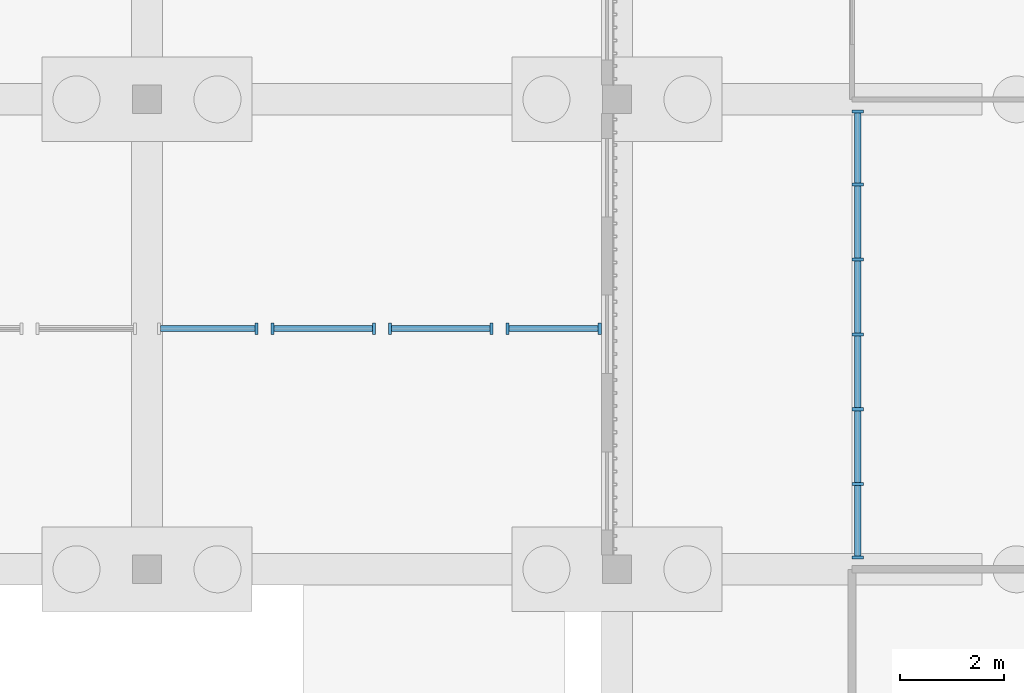
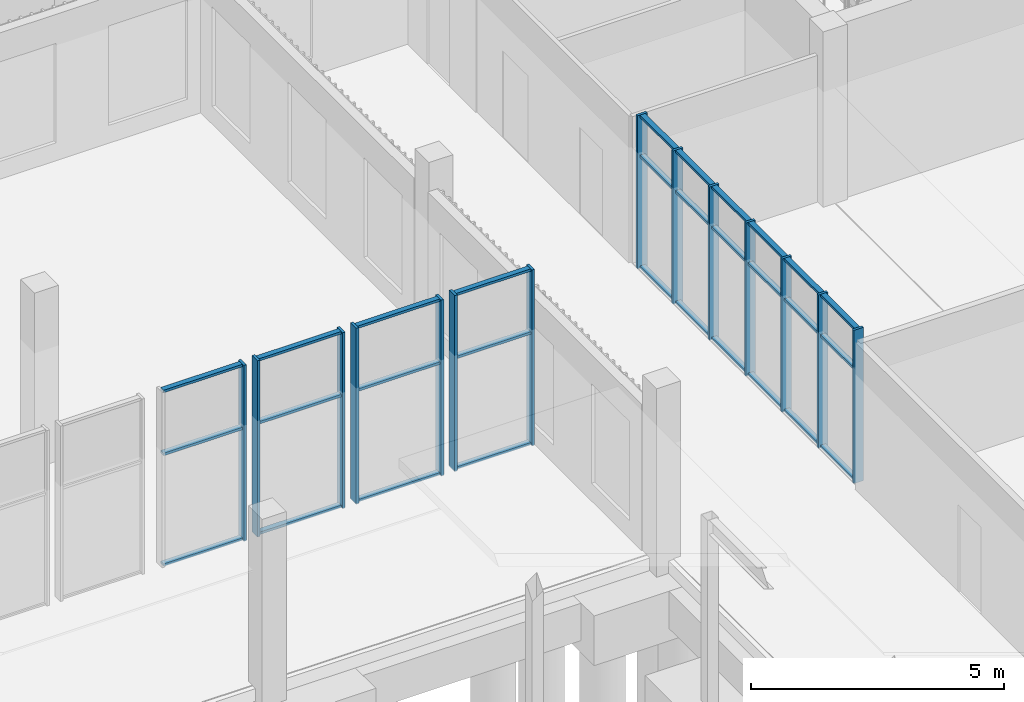
# One storey, part 45 of 106: 44 members, 5 elements without a shape of their own.
"""IFC4 building model written with IfcOpenShell, lengths in metres."""

from ifc_helpers import new_model, si_unit, direction, frame, origin, origin_2d, place, context, subcontext, project, spatial, rectangle, extrude, material, material_profile, profile_set, type_object, element, aggregate, save


model = new_model("IFC4")

# Units and contexts
model_context = context("Model", 3, precision=1e-05, world=origin(), true_north=direction((0.0, 1.0)))
body_context = subcontext(model_context, "Body", "Model", "MODEL_VIEW")
ifc_project = project(units=[si_unit("LENGTHUNIT", "METRE"), si_unit("AREAUNIT", "SQUARE_METRE"), si_unit("VOLUMEUNIT", "CUBIC_METRE"), si_unit("PLANEANGLEUNIT", "RADIAN"), si_unit("MASSUNIT", "GRAM", prefix="KILO")], contexts=[model_context])

# Site, building, storey
site_placement = place(None, origin())
site = spatial("IfcSite", under=ifc_project, at=site_placement, CompositionType="ELEMENT")
building_placement = place(site_placement, origin())
building = spatial("IfcBuilding", under=site, at=building_placement, Name="Merrow Basin Faculty of Sciences", CompositionType="ELEMENT")
storey_placement = place(building_placement, origin())
storey = spatial("IfcBuildingStorey", under=building, at=storey_placement, Name="L00", CompositionType="ELEMENT", Elevation=0.0)

# Curtain wall, members
ifc_material_1 = material(Name="Aluminium alloy 6063", Category="aluminium")
curtain_wall_type = type_object("IfcCurtainWallType", Name="Arcade curtain wall 220", PredefinedType="NOTDEFINED", material=ifc_material_1)
curtain_wall_1_placement = place(storey_placement, origin())
curtain_wall_1 = element("IfcCurtainWall", 1, at=curtain_wall_1_placement, inside=storey, type_object=curtain_wall_type, Name="Arcade curtain wall L00 5", PredefinedType="NOTDEFINED")
ifc_material_2 = material(Name="Aluminium alloy 6063", Category="aluminium")
ifc_material_profile_1 = material_profile(ifc_material_2, rectangle(XDim=0.219970703125, YDim=0.06005859375, at=origin_2d()))
ifc_profile_set_1 = profile_set([ifc_material_profile_1], Name="Aluminium alloy 6063")
member_type_1 = type_object("IfcMemberType", Name="Aluminium mullion 60x220", PredefinedType="MULLION", material=ifc_profile_set_1)
member_1_placement = place(storey_placement, frame((58.610107421875, 115.22998046875, 0.0), z_axis=(0.0, 0.0, 1.0), x_axis=(-1.0, 0.0, 0.0)))
member_1 = element("IfcMember", 2, at=member_1_placement, type_object=member_type_1, Name="CW9 mullion 1", PredefinedType="MULLION", context=body_context, shape_type="SweptSolid", body=[
    extrude(rectangle(XDim=0.219970703125, YDim=0.06005859375, at=origin_2d()), origin(), (0.0, 0.0, 1.0), 3.699951171875),
])
member_2_placement = place(storey_placement, frame((58.610107421875, 116.63330078125, 0.0), z_axis=(0.0, 0.0, 1.0), x_axis=(-1.0, 0.0, 0.0)))
member_2 = element("IfcMember", 3, at=member_2_placement, type_object=member_type_1, Name="CW9 mullion 2", PredefinedType="MULLION", context=body_context, shape_type="SweptSolid", body=[
    extrude(rectangle(XDim=0.219970703125, YDim=0.06005859375, at=origin_2d()), origin(), (0.0, 0.0, 1.0), 3.699951171875),
])
member_3_placement = place(storey_placement, frame((58.610107421875, 118.066650390625, 0.0), z_axis=(0.0, 0.0, 1.0), x_axis=(-1.0, 0.0, 0.0)))
member_3 = element("IfcMember", 4, at=member_3_placement, type_object=member_type_1, Name="CW9 mullion 3", PredefinedType="MULLION", context=body_context, shape_type="SweptSolid", body=[
    extrude(rectangle(XDim=0.219970703125, YDim=0.06005859375, at=origin_2d()), origin(), (0.0, 0.0, 1.0), 3.699951171875),
])
member_4_placement = place(storey_placement, frame((58.610107421875, 119.5, 0.0), z_axis=(0.0, 0.0, 1.0), x_axis=(-1.0, 0.0, 0.0)))
member_4 = element("IfcMember", 5, at=member_4_placement, type_object=member_type_1, Name="CW9 mullion 4", PredefinedType="MULLION", context=body_context, shape_type="SweptSolid", body=[
    extrude(rectangle(XDim=0.219970703125, YDim=0.06005859375, at=origin_2d()), origin(), (0.0, 0.0, 1.0), 3.699951171875),
])
member_5_placement = place(storey_placement, frame((58.610107421875, 120.933349609375, 0.0), z_axis=(0.0, 0.0, 1.0), x_axis=(-1.0, 0.0, 0.0)))
member_5 = element("IfcMember", 6, at=member_5_placement, type_object=member_type_1, Name="CW9 mullion 5", PredefinedType="MULLION", context=body_context, shape_type="SweptSolid", body=[
    extrude(rectangle(XDim=0.219970703125, YDim=0.06005859375, at=origin_2d()), origin(), (0.0, 0.0, 1.0), 3.699951171875),
])
member_6_placement = place(storey_placement, frame((58.610107421875, 122.36669921875, 0.0), z_axis=(0.0, 0.0, 1.0), x_axis=(-1.0, 0.0, 0.0)))
member_6 = element("IfcMember", 7, at=member_6_placement, type_object=member_type_1, Name="CW9 mullion 6", PredefinedType="MULLION", context=body_context, shape_type="SweptSolid", body=[
    extrude(rectangle(XDim=0.219970703125, YDim=0.06005859375, at=origin_2d()), origin(), (0.0, 0.0, 1.0), 3.699951171875),
])
member_7_placement = place(storey_placement, frame((58.610107421875, 123.77001953125, 0.0), z_axis=(0.0, 0.0, 1.0), x_axis=(-1.0, 0.0, 0.0)))
member_7 = element("IfcMember", 8, at=member_7_placement, type_object=member_type_1, Name="CW9 mullion 7", PredefinedType="MULLION", context=body_context, shape_type="SweptSolid", body=[
    extrude(rectangle(XDim=0.219970703125, YDim=0.06005859375, at=origin_2d()), origin(), (0.0, 0.0, 1.0), 3.699951171875),
])

# Curtain wall, member
curtain_wall_2_placement = place(storey_placement, origin())
curtain_wall_2 = element("IfcCurtainWall", 9, at=curtain_wall_2_placement, inside=storey, type_object=curtain_wall_type, Name="Arcade curtain wall L00 9", PredefinedType="NOTDEFINED")
member_8_placement = place(storey_placement, frame((47.094970703125, 119.610107421875, 0.0), z_axis=(0.0, 0.0, 1.0), x_axis=(0.0, 1.0, 0.0)))
member_8 = element("IfcMember", 10, at=member_8_placement, type_object=member_type_1, Name="CW9 mullion 2", PredefinedType="MULLION", context=body_context, shape_type="SweptSolid", body=[
    extrude(rectangle(XDim=0.219970703125, YDim=0.06005859375, at=origin_2d()), origin(), (0.0, 0.0, 1.0), 4.25),
])

# Curtain wall, members
curtain_wall_3_placement = place(storey_placement, origin())
curtain_wall_3 = element("IfcCurtainWall", 11, at=curtain_wall_3_placement, inside=storey, type_object=curtain_wall_type, Name="Arcade curtain wall L00 10", PredefinedType="NOTDEFINED")
member_9_placement = place(storey_placement, frame((47.405029296875, 119.610107421875, 0.0), z_axis=(0.0, 0.0, 1.0), x_axis=(0.0, 1.0, 0.0)))
member_9 = element("IfcMember", 12, at=member_9_placement, type_object=member_type_1, Name="CW9 mullion 1", PredefinedType="MULLION", context=body_context, shape_type="SweptSolid", body=[
    extrude(rectangle(XDim=0.219970703125, YDim=0.06005859375, at=origin_2d()), origin(), (0.0, 0.0, 1.0), 4.25),
])
member_10_placement = place(storey_placement, frame((49.344970703125, 119.610107421875, 0.0), z_axis=(0.0, 0.0, 1.0), x_axis=(0.0, 1.0, 0.0)))
member_10 = element("IfcMember", 13, at=member_10_placement, type_object=member_type_1, Name="CW9 mullion 2", PredefinedType="MULLION", context=body_context, shape_type="SweptSolid", body=[
    extrude(rectangle(XDim=0.219970703125, YDim=0.06005859375, at=origin_2d()), origin(), (0.0, 0.0, 1.0), 4.25),
])

curtain_wall_4_placement = place(storey_placement, origin())
curtain_wall_4 = element("IfcCurtainWall", 14, at=curtain_wall_4_placement, inside=storey, type_object=curtain_wall_type, Name="Arcade curtain wall L00 11", PredefinedType="NOTDEFINED")
member_11_placement = place(storey_placement, frame((49.655029296875, 119.610107421875, 0.0), z_axis=(0.0, 0.0, 1.0), x_axis=(0.0, 1.0, 0.0)))
member_11 = element("IfcMember", 15, at=member_11_placement, type_object=member_type_1, Name="CW9 mullion 1", PredefinedType="MULLION", context=body_context, shape_type="SweptSolid", body=[
    extrude(rectangle(XDim=0.219970703125, YDim=0.06005859375, at=origin_2d()), origin(), (0.0, 0.0, 1.0), 4.25),
])
member_12_placement = place(storey_placement, frame((51.594970703125, 119.610107421875, 0.0), z_axis=(0.0, 0.0, 1.0), x_axis=(0.0, 1.0, 0.0)))
member_12 = element("IfcMember", 16, at=member_12_placement, type_object=member_type_1, Name="CW9 mullion 2", PredefinedType="MULLION", context=body_context, shape_type="SweptSolid", body=[
    extrude(rectangle(XDim=0.219970703125, YDim=0.06005859375, at=origin_2d()), origin(), (0.0, 0.0, 1.0), 4.25),
])

curtain_wall_5_placement = place(storey_placement, origin())
curtain_wall_5 = element("IfcCurtainWall", 17, at=curtain_wall_5_placement, inside=storey, type_object=curtain_wall_type, Name="Arcade curtain wall L00 12", PredefinedType="NOTDEFINED")
member_13_placement = place(storey_placement, frame((51.905029296875, 119.610107421875, 0.0), z_axis=(0.0, 0.0, 1.0), x_axis=(0.0, 1.0, 0.0)))
member_13 = element("IfcMember", 18, at=member_13_placement, type_object=member_type_1, Name="CW9 mullion 1", PredefinedType="MULLION", context=body_context, shape_type="SweptSolid", body=[
    extrude(rectangle(XDim=0.219970703125, YDim=0.06005859375, at=origin_2d()), origin(), (0.0, 0.0, 1.0), 4.25),
])
member_14_placement = place(storey_placement, frame((53.669921875, 119.610107421875, 0.0), z_axis=(0.0, 0.0, 1.0), x_axis=(0.0, 1.0, 0.0)))
member_14 = element("IfcMember", 19, at=member_14_placement, type_object=member_type_1, Name="CW9 mullion 2", PredefinedType="MULLION", context=body_context, shape_type="SweptSolid", body=[
    extrude(rectangle(XDim=0.219970703125, YDim=0.06005859375, at=origin_2d()), origin(), (0.0, 0.0, 1.0), 4.25),
])

# Member
ifc_material_3 = material(Name="Aluminium alloy 6063", Category="aluminium")
ifc_material_profile_2 = material_profile(ifc_material_3, rectangle(XDim=0.1201171875, YDim=0.06005859375, at=origin_2d()))
ifc_profile_set_2 = profile_set([ifc_material_profile_2], Name="Aluminium alloy 6063")
member_type_2 = type_object("IfcMemberType", Name="Aluminium transom 60x120", PredefinedType="USERDEFINED", material=ifc_profile_set_2)
member_15_placement = place(storey_placement, frame((58.610107421875, 115.260009765625, 0.030029296875), z_axis=(0.0, 1.0, 0.0), x_axis=(-1.0, 0.0, 0.0)))
member_15 = element("IfcMember", 20, at=member_15_placement, type_object=member_type_2, Name="CW9 transom 1.1", ObjectType="TRANSOM", PredefinedType="USERDEFINED", context=body_context, shape_type="SweptSolid", body=[
    extrude(rectangle(XDim=0.1201171875, YDim=0.06005859375, at=origin_2d()), origin(), (0.0, 0.0, 1.0), 1.34326171875),
])

member_16_placement = place(storey_placement, frame((58.610107421875, 115.260009765625, 2.699951171875), z_axis=(0.0, 1.0, 0.0), x_axis=(-1.0, 0.0, 0.0)))
member_16 = element("IfcMember", 21, at=member_16_placement, type_object=member_type_2, Name="CW9 transom 1.2", ObjectType="TRANSOM", PredefinedType="USERDEFINED", context=body_context, shape_type="SweptSolid", body=[
    extrude(rectangle(XDim=0.1201171875, YDim=0.06005859375, at=origin_2d()), origin(), (0.0, 0.0, 1.0), 1.34326171875),
])

member_17_placement = place(storey_placement, frame((58.610107421875, 115.260009765625, 3.669921875), z_axis=(0.0, 1.0, 0.0), x_axis=(-1.0, 0.0, 0.0)))
member_17 = element("IfcMember", 22, at=member_17_placement, type_object=member_type_2, Name="CW9 transom 1.3", ObjectType="TRANSOM", PredefinedType="USERDEFINED", context=body_context, shape_type="SweptSolid", body=[
    extrude(rectangle(XDim=0.1201171875, YDim=0.06005859375, at=origin_2d()), origin(), (0.0, 0.0, 1.0), 1.34326171875),
])

member_18_placement = place(storey_placement, frame((58.610107421875, 116.663330078125, 0.030029296875), z_axis=(0.0, 1.0, 0.0), x_axis=(-1.0, 0.0, 0.0)))
member_18 = element("IfcMember", 23, at=member_18_placement, type_object=member_type_2, Name="CW9 transom 2.1", ObjectType="TRANSOM", PredefinedType="USERDEFINED", context=body_context, shape_type="SweptSolid", body=[
    extrude(rectangle(XDim=0.1201171875, YDim=0.06005859375, at=origin_2d()), origin(), (0.0, 0.0, 1.0), 1.373291015625),
])

member_19_placement = place(storey_placement, frame((58.610107421875, 116.663330078125, 2.699951171875), z_axis=(0.0, 1.0, 0.0), x_axis=(-1.0, 0.0, 0.0)))
member_19 = element("IfcMember", 24, at=member_19_placement, type_object=member_type_2, Name="CW9 transom 2.2", ObjectType="TRANSOM", PredefinedType="USERDEFINED", context=body_context, shape_type="SweptSolid", body=[
    extrude(rectangle(XDim=0.1201171875, YDim=0.06005859375, at=origin_2d()), origin(), (0.0, 0.0, 1.0), 1.373291015625),
])

member_20_placement = place(storey_placement, frame((58.610107421875, 116.663330078125, 3.669921875), z_axis=(0.0, 1.0, 0.0), x_axis=(-1.0, 0.0, 0.0)))
member_20 = element("IfcMember", 25, at=member_20_placement, type_object=member_type_2, Name="CW9 transom 2.3", ObjectType="TRANSOM", PredefinedType="USERDEFINED", context=body_context, shape_type="SweptSolid", body=[
    extrude(rectangle(XDim=0.1201171875, YDim=0.06005859375, at=origin_2d()), origin(), (0.0, 0.0, 1.0), 1.373291015625),
])

member_21_placement = place(storey_placement, frame((58.610107421875, 118.0966796875, 0.030029296875), z_axis=(0.0, 1.0, 0.0), x_axis=(-1.0, 0.0, 0.0)))
member_21 = element("IfcMember", 26, at=member_21_placement, type_object=member_type_2, Name="CW9 transom 3.1", ObjectType="TRANSOM", PredefinedType="USERDEFINED", context=body_context, shape_type="SweptSolid", body=[
    extrude(rectangle(XDim=0.1201171875, YDim=0.06005859375, at=origin_2d()), origin(), (0.0, 0.0, 1.0), 1.373291015625),
])

member_22_placement = place(storey_placement, frame((58.610107421875, 118.0966796875, 2.699951171875), z_axis=(0.0, 1.0, 0.0), x_axis=(-1.0, 0.0, 0.0)))
member_22 = element("IfcMember", 27, at=member_22_placement, type_object=member_type_2, Name="CW9 transom 3.2", ObjectType="TRANSOM", PredefinedType="USERDEFINED", context=body_context, shape_type="SweptSolid", body=[
    extrude(rectangle(XDim=0.1201171875, YDim=0.06005859375, at=origin_2d()), origin(), (0.0, 0.0, 1.0), 1.373291015625),
])

member_23_placement = place(storey_placement, frame((58.610107421875, 118.0966796875, 3.669921875), z_axis=(0.0, 1.0, 0.0), x_axis=(-1.0, 0.0, 0.0)))
member_23 = element("IfcMember", 28, at=member_23_placement, type_object=member_type_2, Name="CW9 transom 3.3", ObjectType="TRANSOM", PredefinedType="USERDEFINED", context=body_context, shape_type="SweptSolid", body=[
    extrude(rectangle(XDim=0.1201171875, YDim=0.06005859375, at=origin_2d()), origin(), (0.0, 0.0, 1.0), 1.373291015625),
])

member_24_placement = place(storey_placement, frame((58.610107421875, 119.530029296875, 0.030029296875), z_axis=(0.0, 1.0, 0.0), x_axis=(-1.0, 0.0, 0.0)))
member_24 = element("IfcMember", 29, at=member_24_placement, type_object=member_type_2, Name="CW9 transom 4.1", ObjectType="TRANSOM", PredefinedType="USERDEFINED", context=body_context, shape_type="SweptSolid", body=[
    extrude(rectangle(XDim=0.1201171875, YDim=0.06005859375, at=origin_2d()), origin(), (0.0, 0.0, 1.0), 1.373291015625),
])

member_25_placement = place(storey_placement, frame((58.610107421875, 119.530029296875, 2.699951171875), z_axis=(0.0, 1.0, 0.0), x_axis=(-1.0, 0.0, 0.0)))
member_25 = element("IfcMember", 30, at=member_25_placement, type_object=member_type_2, Name="CW9 transom 4.2", ObjectType="TRANSOM", PredefinedType="USERDEFINED", context=body_context, shape_type="SweptSolid", body=[
    extrude(rectangle(XDim=0.1201171875, YDim=0.06005859375, at=origin_2d()), origin(), (0.0, 0.0, 1.0), 1.373291015625),
])

member_26_placement = place(storey_placement, frame((58.610107421875, 119.530029296875, 3.669921875), z_axis=(0.0, 1.0, 0.0), x_axis=(-1.0, 0.0, 0.0)))
member_26 = element("IfcMember", 31, at=member_26_placement, type_object=member_type_2, Name="CW9 transom 4.3", ObjectType="TRANSOM", PredefinedType="USERDEFINED", context=body_context, shape_type="SweptSolid", body=[
    extrude(rectangle(XDim=0.1201171875, YDim=0.06005859375, at=origin_2d()), origin(), (0.0, 0.0, 1.0), 1.373291015625),
])

member_27_placement = place(storey_placement, frame((58.610107421875, 120.96337890625, 0.030029296875), z_axis=(0.0, 1.0, 0.0), x_axis=(-1.0, 0.0, 0.0)))
member_27 = element("IfcMember", 32, at=member_27_placement, type_object=member_type_2, Name="CW9 transom 5.1", ObjectType="TRANSOM", PredefinedType="USERDEFINED", context=body_context, shape_type="SweptSolid", body=[
    extrude(rectangle(XDim=0.1201171875, YDim=0.06005859375, at=origin_2d()), origin(), (0.0, 0.0, 1.0), 1.373291015625),
])

member_28_placement = place(storey_placement, frame((58.610107421875, 120.96337890625, 2.699951171875), z_axis=(0.0, 1.0, 0.0), x_axis=(-1.0, 0.0, 0.0)))
member_28 = element("IfcMember", 33, at=member_28_placement, type_object=member_type_2, Name="CW9 transom 5.2", ObjectType="TRANSOM", PredefinedType="USERDEFINED", context=body_context, shape_type="SweptSolid", body=[
    extrude(rectangle(XDim=0.1201171875, YDim=0.06005859375, at=origin_2d()), origin(), (0.0, 0.0, 1.0), 1.373291015625),
])

member_29_placement = place(storey_placement, frame((58.610107421875, 120.96337890625, 3.669921875), z_axis=(0.0, 1.0, 0.0), x_axis=(-1.0, 0.0, 0.0)))
member_29 = element("IfcMember", 34, at=member_29_placement, type_object=member_type_2, Name="CW9 transom 5.3", ObjectType="TRANSOM", PredefinedType="USERDEFINED", context=body_context, shape_type="SweptSolid", body=[
    extrude(rectangle(XDim=0.1201171875, YDim=0.06005859375, at=origin_2d()), origin(), (0.0, 0.0, 1.0), 1.373291015625),
])

member_30_placement = place(storey_placement, frame((58.610107421875, 122.396728515625, 0.030029296875), z_axis=(0.0, 1.0, 0.0), x_axis=(-1.0, 0.0, 0.0)))
member_30 = element("IfcMember", 35, at=member_30_placement, type_object=member_type_2, Name="CW9 transom 6.1", ObjectType="TRANSOM", PredefinedType="USERDEFINED", context=body_context, shape_type="SweptSolid", body=[
    extrude(rectangle(XDim=0.1201171875, YDim=0.06005859375, at=origin_2d()), origin(), (0.0, 0.0, 1.0), 1.34326171875),
])

member_31_placement = place(storey_placement, frame((58.610107421875, 122.396728515625, 2.699951171875), z_axis=(0.0, 1.0, 0.0), x_axis=(-1.0, 0.0, 0.0)))
member_31 = element("IfcMember", 36, at=member_31_placement, type_object=member_type_2, Name="CW9 transom 6.2", ObjectType="TRANSOM", PredefinedType="USERDEFINED", context=body_context, shape_type="SweptSolid", body=[
    extrude(rectangle(XDim=0.1201171875, YDim=0.06005859375, at=origin_2d()), origin(), (0.0, 0.0, 1.0), 1.34326171875),
])

member_32_placement = place(storey_placement, frame((58.610107421875, 122.396728515625, 3.669921875), z_axis=(0.0, 1.0, 0.0), x_axis=(-1.0, 0.0, 0.0)))
member_32 = element("IfcMember", 37, at=member_32_placement, type_object=member_type_2, Name="CW9 transom 6.3", ObjectType="TRANSOM", PredefinedType="USERDEFINED", context=body_context, shape_type="SweptSolid", body=[
    extrude(rectangle(XDim=0.1201171875, YDim=0.06005859375, at=origin_2d()), origin(), (0.0, 0.0, 1.0), 1.34326171875),
])

aggregate(curtain_wall_1, [member_1, member_2, member_3, member_4, member_5, member_6, member_7, member_15, member_16, member_17, member_18, member_19, member_20, member_21, member_22, member_23, member_24, member_25, member_26, member_27, member_28, member_29, member_30, member_31, member_32])

member_33_placement = place(storey_placement, frame((45.260009765625, 119.610107421875, 0.030029296875), z_axis=(1.0, 0.0, 0.0), x_axis=(0.0, 1.0, 0.0)))
member_33 = element("IfcMember", 38, at=member_33_placement, type_object=member_type_2, Name="CW9 transom 1.1", ObjectType="TRANSOM", PredefinedType="USERDEFINED", context=body_context, shape_type="SweptSolid", body=[
    extrude(rectangle(XDim=0.1201171875, YDim=0.06005859375, at=origin_2d()), origin(), (0.0, 0.0, 1.0), 1.804931640625),
])

member_34_placement = place(storey_placement, frame((45.260009765625, 119.610107421875, 2.699951171875), z_axis=(1.0, 0.0, 0.0), x_axis=(0.0, 1.0, 0.0)))
member_34 = element("IfcMember", 39, at=member_34_placement, type_object=member_type_2, Name="CW9 transom 1.2", ObjectType="TRANSOM", PredefinedType="USERDEFINED", context=body_context, shape_type="SweptSolid", body=[
    extrude(rectangle(XDim=0.1201171875, YDim=0.06005859375, at=origin_2d()), origin(), (0.0, 0.0, 1.0), 1.804931640625),
])

member_35_placement = place(storey_placement, frame((45.260009765625, 119.610107421875, 4.219970703125), z_axis=(1.0, 0.0, 0.0), x_axis=(0.0, 1.0, 0.0)))
member_35 = element("IfcMember", 40, at=member_35_placement, type_object=member_type_2, Name="CW9 transom 1.3", ObjectType="TRANSOM", PredefinedType="USERDEFINED", context=body_context, shape_type="SweptSolid", body=[
    extrude(rectangle(XDim=0.1201171875, YDim=0.06005859375, at=origin_2d()), origin(), (0.0, 0.0, 1.0), 1.804931640625),
])

aggregate(curtain_wall_2, [member_8, member_33, member_34, member_35])

member_36_placement = place(storey_placement, frame((47.43505859375, 119.610107421875, 0.030029296875), z_axis=(1.0, 0.0, 0.0), x_axis=(0.0, 1.0, 0.0)))
member_36 = element("IfcMember", 41, at=member_36_placement, type_object=member_type_2, Name="CW9 transom 1.1", ObjectType="TRANSOM", PredefinedType="USERDEFINED", context=body_context, shape_type="SweptSolid", body=[
    extrude(rectangle(XDim=0.1201171875, YDim=0.06005859375, at=origin_2d()), origin(), (0.0, 0.0, 1.0), 1.8798828125),
])

member_37_placement = place(storey_placement, frame((47.43505859375, 119.610107421875, 2.699951171875), z_axis=(1.0, 0.0, 0.0), x_axis=(0.0, 1.0, 0.0)))
member_37 = element("IfcMember", 42, at=member_37_placement, type_object=member_type_2, Name="CW9 transom 1.2", ObjectType="TRANSOM", PredefinedType="USERDEFINED", context=body_context, shape_type="SweptSolid", body=[
    extrude(rectangle(XDim=0.1201171875, YDim=0.06005859375, at=origin_2d()), origin(), (0.0, 0.0, 1.0), 1.8798828125),
])

member_38_placement = place(storey_placement, frame((47.43505859375, 119.610107421875, 4.219970703125), z_axis=(1.0, 0.0, 0.0), x_axis=(0.0, 1.0, 0.0)))
member_38 = element("IfcMember", 43, at=member_38_placement, type_object=member_type_2, Name="CW9 transom 1.3", ObjectType="TRANSOM", PredefinedType="USERDEFINED", context=body_context, shape_type="SweptSolid", body=[
    extrude(rectangle(XDim=0.1201171875, YDim=0.06005859375, at=origin_2d()), origin(), (0.0, 0.0, 1.0), 1.8798828125),
])

aggregate(curtain_wall_3, [member_9, member_10, member_36, member_37, member_38])

member_39_placement = place(storey_placement, frame((49.68505859375, 119.610107421875, 0.030029296875), z_axis=(1.0, 0.0, 0.0), x_axis=(0.0, 1.0, 0.0)))
member_39 = element("IfcMember", 44, at=member_39_placement, type_object=member_type_2, Name="CW9 transom 1.1", ObjectType="TRANSOM", PredefinedType="USERDEFINED", context=body_context, shape_type="SweptSolid", body=[
    extrude(rectangle(XDim=0.1201171875, YDim=0.06005859375, at=origin_2d()), origin(), (0.0, 0.0, 1.0), 1.8798828125),
])

member_40_placement = place(storey_placement, frame((49.68505859375, 119.610107421875, 2.699951171875), z_axis=(1.0, 0.0, 0.0), x_axis=(0.0, 1.0, 0.0)))
member_40 = element("IfcMember", 45, at=member_40_placement, type_object=member_type_2, Name="CW9 transom 1.2", ObjectType="TRANSOM", PredefinedType="USERDEFINED", context=body_context, shape_type="SweptSolid", body=[
    extrude(rectangle(XDim=0.1201171875, YDim=0.06005859375, at=origin_2d()), origin(), (0.0, 0.0, 1.0), 1.8798828125),
])

member_41_placement = place(storey_placement, frame((49.68505859375, 119.610107421875, 4.219970703125), z_axis=(1.0, 0.0, 0.0), x_axis=(0.0, 1.0, 0.0)))
member_41 = element("IfcMember", 46, at=member_41_placement, type_object=member_type_2, Name="CW9 transom 1.3", ObjectType="TRANSOM", PredefinedType="USERDEFINED", context=body_context, shape_type="SweptSolid", body=[
    extrude(rectangle(XDim=0.1201171875, YDim=0.06005859375, at=origin_2d()), origin(), (0.0, 0.0, 1.0), 1.8798828125),
])

aggregate(curtain_wall_4, [member_11, member_12, member_39, member_40, member_41])

member_42_placement = place(storey_placement, frame((51.93505859375, 119.610107421875, 0.030029296875), z_axis=(1.0, 0.0, 0.0), x_axis=(0.0, 1.0, 0.0)))
member_42 = element("IfcMember", 47, at=member_42_placement, type_object=member_type_2, Name="CW9 transom 1.1", ObjectType="TRANSOM", PredefinedType="USERDEFINED", context=body_context, shape_type="SweptSolid", body=[
    extrude(rectangle(XDim=0.1201171875, YDim=0.06005859375, at=origin_2d()), origin(), (0.0, 0.0, 1.0), 1.704833984375),
])

member_43_placement = place(storey_placement, frame((51.93505859375, 119.610107421875, 2.699951171875), z_axis=(1.0, 0.0, 0.0), x_axis=(0.0, 1.0, 0.0)))
member_43 = element("IfcMember", 48, at=member_43_placement, type_object=member_type_2, Name="CW9 transom 1.2", ObjectType="TRANSOM", PredefinedType="USERDEFINED", context=body_context, shape_type="SweptSolid", body=[
    extrude(rectangle(XDim=0.1201171875, YDim=0.06005859375, at=origin_2d()), origin(), (0.0, 0.0, 1.0), 1.704833984375),
])

member_44_placement = place(storey_placement, frame((51.93505859375, 119.610107421875, 4.219970703125), z_axis=(1.0, 0.0, 0.0), x_axis=(0.0, 1.0, 0.0)))
member_44 = element("IfcMember", 49, at=member_44_placement, type_object=member_type_2, Name="CW9 transom 1.3", ObjectType="TRANSOM", PredefinedType="USERDEFINED", context=body_context, shape_type="SweptSolid", body=[
    extrude(rectangle(XDim=0.1201171875, YDim=0.06005859375, at=origin_2d()), origin(), (0.0, 0.0, 1.0), 1.704833984375),
])

aggregate(curtain_wall_5, [member_13, member_14, member_42, member_43, member_44])

save(model, "model.ifc")
